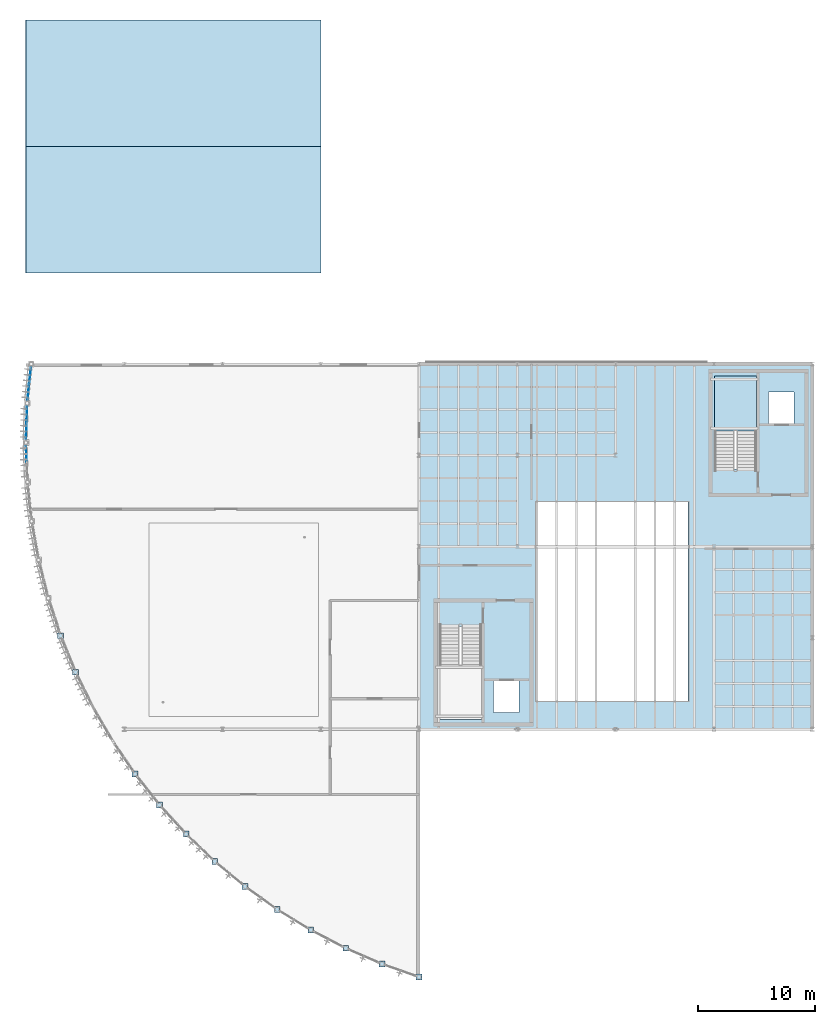
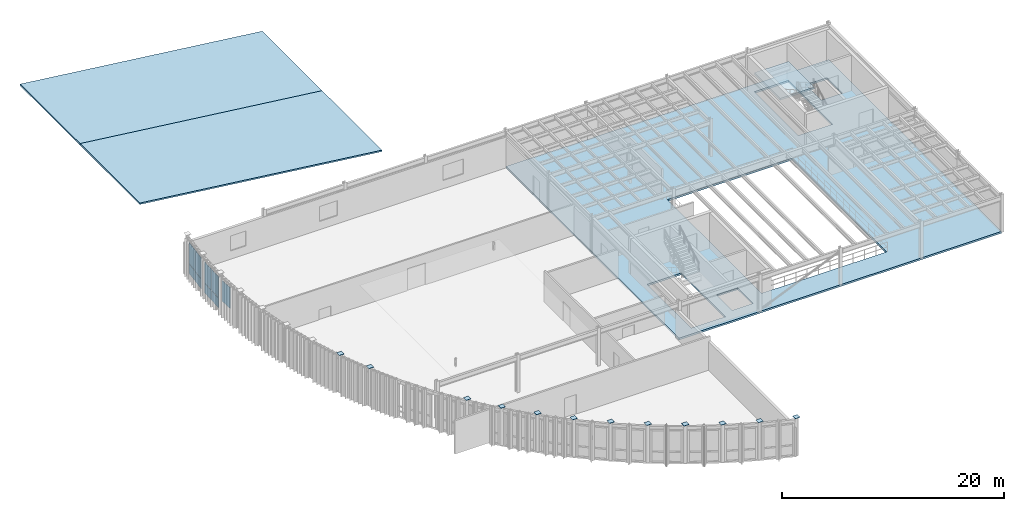
# One storey, part 17 of 26: 21 plates, 4 slabs, 4 elements without a shape of their own.
"""IFC4 building model written with IfcOpenShell, lengths in metres."""

from ifc_helpers import new_model, si_unit, direction, frame, origin, origin_2d, place, context, subcontext, project, spatial, polyline, rectangle, outline, extrude, material, layer, layer_set, type_object, element, aggregate, save


model = new_model("IFC4")

# Units and contexts
model_context = context("Model", 3, precision=1e-05, world=origin(), true_north=direction((0.0, 1.0)))
body_context = subcontext(model_context, "Body", "Model", "MODEL_VIEW")
ifc_project = project(units=[si_unit("LENGTHUNIT", "METRE"), si_unit("AREAUNIT", "SQUARE_METRE"), si_unit("VOLUMEUNIT", "CUBIC_METRE"), si_unit("PLANEANGLEUNIT", "RADIAN"), si_unit("MASSUNIT", "GRAM", prefix="KILO")], contexts=[model_context])

# Site, building, storey
site_placement = place(None, origin())
site = spatial("IfcSite", under=ifc_project, at=site_placement, CompositionType="ELEMENT")
building_placement = place(site_placement, origin())
building = spatial("IfcBuilding", under=site, at=building_placement, Name="Selat Folded Stagehouse", CompositionType="ELEMENT")
storey_placement = place(building_placement, frame((0.0, 0.0, 23.39990234375)))
storey = spatial("IfcBuildingStorey", under=building, at=storey_placement, Name="L05", CompositionType="ELEMENT", Elevation=23.39990234375)

# Curtain wall, plates
ifc_material_1 = material(Name="Aluminium 6063-T6", Category="aluminium")
ifc_layer_1 = layer(ifc_material_1, 0.18505859375)
ifc_layer_set_1 = layer_set([ifc_layer_1], Name="Aluminium 6063-T6")
curtain_wall_type = type_object("IfcCurtainWallType", Name="CW-DRM-UPPER", PredefinedType="NOTDEFINED", material=ifc_layer_set_1)
curtain_wall_1_placement = place(storey_placement, origin())
curtain_wall_1 = element("IfcCurtainWall", 1, at=curtain_wall_1_placement, inside=storey, type_object=curtain_wall_type, Name="L05 curtain wall CW-DRM-L05-00", PredefinedType="NOTDEFINED")
ifc_material_2 = material(Name="Acoustic laminated double glazing", Category="glass")
ifc_layer_2 = layer(ifc_material_2, 0.035888671875)
ifc_layer_set_2 = layer_set([ifc_layer_2], Name="Acoustic laminated double glazing")
plate_type_1 = type_object("IfcPlateType", Name="CWP-GLZ-DGU36", PredefinedType="CURTAIN_PANEL", material=ifc_layer_set_2)
plate_1_placement = place(storey_placement, frame((0.211181640625, 52.22705078125, 0.06494140625), z_axis=(0.0, 0.0, 1.0), x_axis=(0.102616116059, 0.994721032614, 0.0)))
plate_1 = element("IfcPlate", 2, at=plate_1_placement, type_object=plate_type_1, Name="CW-03 panel 1.1", PredefinedType="CURTAIN_PANEL", context=body_context, shape_type="SweptSolid", body=[
    extrude(rectangle(XDim=1.3369140625, YDim=0.035888671875, at=origin_2d()), origin(), (0.0, 0.0, 1.0), 1.052490234375),
])
plate_2_placement = place(storey_placement, frame((0.211181640625, 52.22705078125, 1.1826171875), z_axis=(0.0, 0.0, 1.0), x_axis=(0.102616116059, 0.994721032614, 0.0)))
plate_2 = element("IfcPlate", 3, at=plate_2_placement, type_object=plate_type_1, Name="CW-03 panel 1.2", PredefinedType="CURTAIN_PANEL", context=body_context, shape_type="SweptSolid", body=[
    extrude(rectangle(XDim=1.3369140625, YDim=0.035888671875, at=origin_2d()), origin(), (0.0, 0.0, 1.0), 2.28759765625),
])
plate_3_placement = place(storey_placement, frame((0.35498046875, 53.62158203125, 0.06494140625), z_axis=(0.0, 0.0, 1.0), x_axis=(0.102616116059, 0.994721032614, 0.0)))
plate_3 = element("IfcPlate", 4, at=plate_3_placement, type_object=plate_type_1, Name="CW-03 panel 2.1", PredefinedType="CURTAIN_PANEL", context=body_context, shape_type="SweptSolid", body=[
    extrude(rectangle(XDim=1.3369140625, YDim=0.035888671875, at=origin_2d()), origin(), (0.0, 0.0, 1.0), 1.052490234375),
])
plate_4_placement = place(storey_placement, frame((0.35498046875, 53.62158203125, 1.1826171875), z_axis=(0.0, 0.0, 1.0), x_axis=(0.102616116059, 0.994721032614, 0.0)))
plate_4 = element("IfcPlate", 5, at=plate_4_placement, type_object=plate_type_1, Name="CW-03 panel 2.2", PredefinedType="CURTAIN_PANEL", context=body_context, shape_type="SweptSolid", body=[
    extrude(rectangle(XDim=1.3369140625, YDim=0.035888671875, at=origin_2d()), origin(), (0.0, 0.0, 1.0), 2.28759765625),
])
aggregate(curtain_wall_1, [plate_1, plate_2, plate_3, plate_4])

curtain_wall_2_placement = place(storey_placement, origin())
curtain_wall_2 = element("IfcCurtainWall", 6, at=curtain_wall_2_placement, inside=storey, type_object=curtain_wall_type, Name="L05 curtain wall CW-DRM-L05-01", PredefinedType="NOTDEFINED")
plate_5_placement = place(storey_placement, frame((0.0322265625, 48.864501953125, 0.06494140625), z_axis=(0.0, 0.0, 1.0), x_axis=(0.032625434862, 0.999467648801, 0.0)))
plate_5 = element("IfcPlate", 7, at=plate_5_placement, type_object=plate_type_1, Name="CW-03 panel 1.1", PredefinedType="CURTAIN_PANEL", context=body_context, shape_type="SweptSolid", body=[
    extrude(rectangle(XDim=1.3369140625, YDim=0.035888671875, at=origin_2d()), origin(), (0.0, 0.0, 1.0), 1.052490234375),
])
plate_6_placement = place(storey_placement, frame((0.0322265625, 48.864501953125, 1.1826171875), z_axis=(0.0, 0.0, 1.0), x_axis=(0.032625434862, 0.999467648801, 0.0)))
plate_6 = element("IfcPlate", 8, at=plate_6_placement, type_object=plate_type_1, Name="CW-03 panel 1.2", PredefinedType="CURTAIN_PANEL", context=body_context, shape_type="SweptSolid", body=[
    extrude(rectangle(XDim=1.3369140625, YDim=0.035888671875, at=origin_2d()), origin(), (0.0, 0.0, 1.0), 2.28759765625),
])
plate_7_placement = place(storey_placement, frame((0.077880859375, 50.265869140625, 0.06494140625), z_axis=(0.0, 0.0, 1.0), x_axis=(0.032625434862, 0.999467648801, 0.0)))
plate_7 = element("IfcPlate", 9, at=plate_7_placement, type_object=plate_type_1, Name="CW-03 panel 2.1", PredefinedType="CURTAIN_PANEL", context=body_context, shape_type="SweptSolid", body=[
    extrude(rectangle(XDim=1.3369140625, YDim=0.035888671875, at=origin_2d()), origin(), (0.0, 0.0, 1.0), 1.052490234375),
])
plate_8_placement = place(storey_placement, frame((0.077880859375, 50.265869140625, 1.1826171875), z_axis=(0.0, 0.0, 1.0), x_axis=(0.032625434862, 0.999467648801, 0.0)))
plate_8 = element("IfcPlate", 10, at=plate_8_placement, type_object=plate_type_1, Name="CW-03 panel 2.2", PredefinedType="CURTAIN_PANEL", context=body_context, shape_type="SweptSolid", body=[
    extrude(rectangle(XDim=1.3369140625, YDim=0.035888671875, at=origin_2d()), origin(), (0.0, 0.0, 1.0), 2.28759765625),
])
aggregate(curtain_wall_2, [plate_5, plate_6, plate_7, plate_8])

# Curtain wall, plate
curtain_wall_3_placement = place(storey_placement, origin())
curtain_wall_3 = element("IfcCurtainWall", 11, at=curtain_wall_3_placement, inside=storey, type_object=curtain_wall_type, Name="L05 curtain wall CW-DRM-L05-02", PredefinedType="NOTDEFINED")
plate_9_placement = place(storey_placement, frame((0.037109375, 46.89892578125, 1.1826171875), z_axis=(0.0, 0.0, 1.0), x_axis=(-0.037573727908, 0.999293858167, 0.0)))
plate_9 = element("IfcPlate", 12, at=plate_9_placement, type_object=plate_type_1, Name="CW-03 panel 2.2", PredefinedType="CURTAIN_PANEL", context=body_context, shape_type="SweptSolid", body=[
    extrude(rectangle(XDim=1.3369140625, YDim=0.035888671875, at=origin_2d()), origin(), (0.0, 0.0, 1.0), 2.28759765625),
])
aggregate(curtain_wall_3, [plate_9])

# Plates
ifc_material_3 = material(Name="Steel S355", Category="steel")
ifc_layer_3 = layer(ifc_material_3, 0.02490234375)
ifc_layer_set_3 = layer_set([ifc_layer_3], Name="Steel S355")
plate_type_2 = type_object("IfcPlateType", Name="PLT-BASE-500x500x25", PredefinedType="USERDEFINED", material=ifc_layer_set_3)
for number, where, z_axis, x_axis, name in (
    (13, (2.967529296875, 31.38427734375, 4.2001953125), (0.0, 0.0, 1.0), (1.0, 0.0, 0.0), "Hollow column end cap plate STK-DRM-07"),
    (14, (4.243896484375, 28.266357421875, 4.2001953125), (0.0, 0.0, 1.0), (1.0, 0.0, 0.0), "Hollow column end cap plate STK-DRM-08"),
    (15, (9.336181640625, 19.55517578125, 4.2001953125), (0.0, 0.0, 1.0), (1.0, 0.0, 0.0), "Hollow column end cap plate STK-DRM-11"),
    (16, (11.4267578125, 16.9130859375, 4.2001953125), (0.0, 0.0, 1.0), (1.0, 0.0, 0.0), "Hollow column end cap plate STK-DRM-12"),
    (17, (13.697509765625, 14.42431640625, 4.2001953125), (0.0, 0.0, 1.0), (1.0, 0.0, 0.0), "Hollow column end cap plate STK-DRM-13"),
    (18, (16.136962890625, 12.100830078125, 4.2001953125), (0.0, 0.0, 1.0), (1.0, 0.0, 0.0), "Hollow column end cap plate STK-DRM-14"),
    (19, (18.733642578125, 9.954345703125, 4.2001953125), (0.0, 0.0, 1.0), (1.0, 0.0, 0.0), "Hollow column end cap plate STK-DRM-15"),
    (20, (21.474365234375, 7.9951171875, 4.2001953125), (0.0, 0.0, 1.0), (1.0, 0.0, 0.0), "Hollow column end cap plate STK-DRM-16"),
    (21, (24.345703125, 6.23291015625, 4.2001953125), (0.0, 0.0, 1.0), (1.0, 0.0, 0.0), "Hollow column end cap plate STK-DRM-17"),
    (22, (27.333740234375, 4.6767578125, 4.2001953125), (0.0, 0.0, 1.0), (1.0, 0.0, 0.0), "Hollow column end cap plate STK-DRM-18"),
    (23, (30.423583984375, 3.333740234375, 4.2001953125), (0.0, 0.0, 1.0), (1.0, 0.0, 0.0), "Hollow column end cap plate STK-DRM-19"),
    (24, (33.60009765625, 2.2109375, 4.2001953125), (0.0, 0.0, 1.0), (1.0, 0.0, 0.0), "Hollow column end cap plate STK-DRM-20"),
):
    element("IfcPlate", number, at=place(storey_placement, frame(where, z_axis=z_axis, x_axis=x_axis)), inside=storey, type_object=plate_type_2, Name=name, ObjectType="BASE_PLATE", PredefinedType="USERDEFINED", context=body_context, shape_type="SweptSolid", body=[
        extrude(rectangle(XDim=0.5, YDim=0.5, at=origin_2d()), origin(), (0.0, 0.0, 1.0), 0.02490234375),
    ])

# Slabs
ifc_material_4 = material(Name="Concrete C40/50", Category="concrete")
ifc_layer_4 = layer(ifc_material_4, 0.199951171875)
ifc_layer_set_4 = layer_set([ifc_layer_4], Name="Concrete C40/50")
slab_type_1 = type_object("IfcSlabType", Name="SLAB-FLR-200", PredefinedType="FLOOR", material=ifc_layer_set_4)
slab_1_placement = place(storey_placement, frame((0.0, 0.0, -0.199951171875)))
element("IfcSlab", 25, at=slab_1_placement, inside=storey, type_object=slab_type_1, Name="L05 V2 floor slab SL-L05-V2", PredefinedType="FLOOR", context=body_context, shape_type="SweptSolid", body=[
    extrude(outline(polyline([(33.60009765625, 23.39990234375), (67.199951171875, 23.39990234375), (67.199951171875, 54.60009765625), (33.60009765625, 54.60009765625), (33.60009765625, 23.39990234375)]), holes=[polyline([(39.949951171875, 24.800048828125), (39.949951171875, 27.60009765625), (42.14990234375, 27.60009765625), (42.14990234375, 24.800048828125), (39.949951171875, 24.800048828125)]), polyline([(35.360107421875, 24.239990234375), (35.360107421875, 32.179931640625), (38.919921875, 32.179931640625), (38.919921875, 24.239990234375), (35.360107421875, 24.239990234375)]), polyline([(56.60009765625, 25.800048828125), (43.60009765625, 25.800048828125), (43.60009765625, 42.800048828125), (56.60009765625, 42.800048828125), (56.60009765625, 25.800048828125)]), polyline([(58.860107421875, 53.56005859375), (62.419921875, 53.56005859375), (62.419921875, 45.6201171875), (58.860107421875, 45.6201171875), (58.860107421875, 53.56005859375)]), polyline([(63.449951171875, 52.199951171875), (65.64990234375, 52.199951171875), (65.64990234375, 49.39990234375), (63.449951171875, 49.39990234375), (63.449951171875, 52.199951171875)])]), origin(), (0.0, 0.0, 1.0), 0.199951171875),
])
ifc_layer_5 = layer(ifc_material_4, 0.162109375)
ifc_layer_set_5 = layer_set([ifc_layer_5], Name="Concrete C40/50")
slab_type_2 = type_object("IfcSlabType", Name="SLAB-ROOF-BB160", PredefinedType="ROOF", material=ifc_layer_set_5)
for number, where, z_axis, x_axis, name in (
    (26, (0.0, 62.39990234375, 3.0), (0.118213115637, 0.0, 0.992988247308), (0.992988247308, 0.0, -0.118213115637), "Sloped folded-plate roof facet RF-V4-F1"),
    (27, (0.0, 73.199951171875, 3.0), (0.118213115637, 0.0, 0.992988247308), (0.992988247308, 0.0, -0.118213115637), "Sloped folded-plate roof facet RF-V4-F2"),
):
    element("IfcSlab", number, at=place(storey_placement, frame(where, z_axis=z_axis, x_axis=x_axis)), inside=storey, type_object=slab_type_2, Name=name, PredefinedType="ROOF", context=body_context, shape_type="SweptSolid", body=[
        extrude(outline(polyline([(0.0, 0.0), (25.377894693313003, 0.0), (25.377894693313003, 10.800048828125002), (0.0, 10.800048828125002), (0.0, 0.0)])), origin(), (0.0, 0.0, -1.0), 0.162109375),
    ])

# Stair, slab
stair_type = type_object("IfcStairType", Name="STR-DOG-1700-26R", PredefinedType="HALF_TURN_STAIR", material=ifc_material_4)
stair_placement = place(storey_placement, origin())
stair = element("IfcStair", 28, at=stair_placement, inside=storey, type_object=stair_type, Name="L05 Core 2 North-East Stage Fire Core", PredefinedType="HALF_TURN_STAIR")
ifc_layer_6 = layer(ifc_material_4, 0.199951171875)
ifc_layer_set_6 = layer_set([ifc_layer_6], Name="Concrete C40/50")
slab_type_3 = type_object("IfcSlabType", Name="SLAB-STR-LDG-200", PredefinedType="LANDING", material=ifc_layer_set_6)
slab_2_placement = place(storey_placement, frame((0.0, 0.0, 1.900146484375)))
slab_2 = element("IfcSlab", 29, at=slab_2_placement, type_object=slab_type_3, Name="ST-1700-26R landing 1", PredefinedType="LANDING", context=body_context, shape_type="SweptSolid", body=[
    extrude(outline(polyline([(62.419921875, 48.8798828125), (62.419921875, 53.56005859375), (58.860107421875, 53.56005859375), (58.860107421875, 48.8798828125), (62.419921875, 48.8798828125)])), origin(), (0.0, 0.0, 1.0), 0.199951171875),
])
aggregate(stair, [slab_2])

save(model, "model.ifc")
